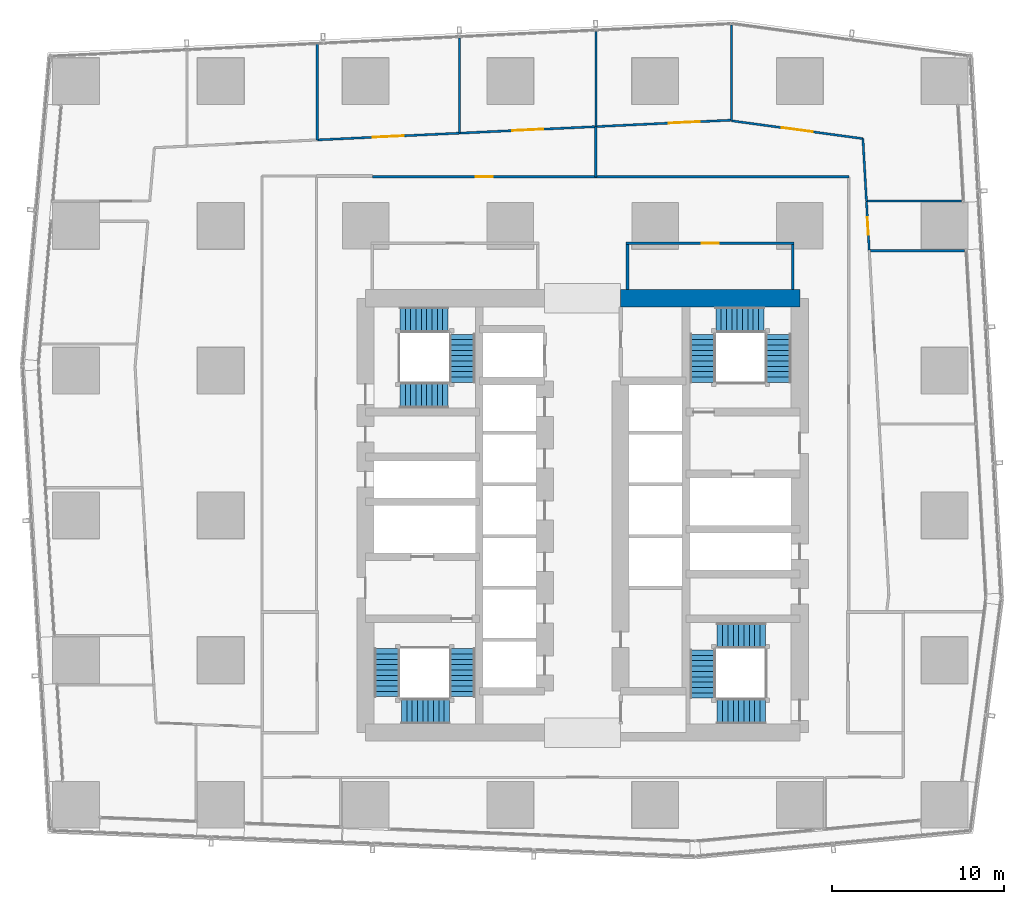
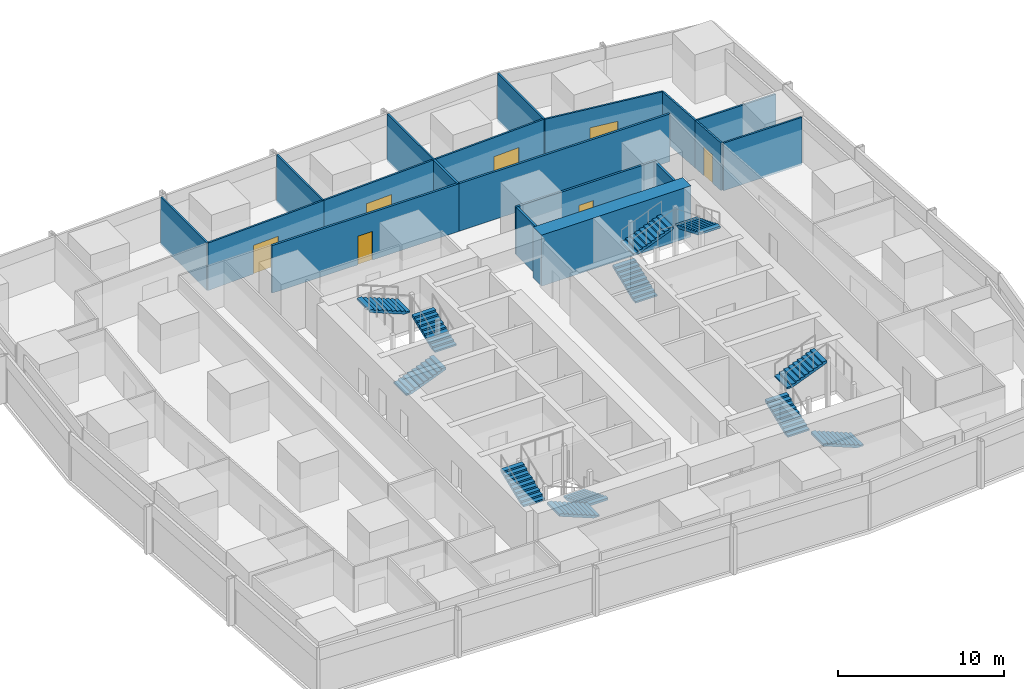
# One storey, part 27 of 36: 19 walls, 12 stair flights, 7 doors, 7 openings, 4 elements without a shape of their own.
"""IFC4 building model written with IfcOpenShell, lengths in metres."""

from ifc_helpers import new_model, si_unit, direction, frame, frame_2d, origin, place, context, subcontext, project, spatial, polyline, rectangle, outline, extrude, material, layer, layer_set, type_object, element, fill, aggregate, save


model = new_model("IFC4")

# Units and contexts
model_context = context("Model", 3, precision=1e-05, world=origin(), true_north=direction((0.0, 1.0)))
body_context = subcontext(model_context, "Body", "Model", "MODEL_VIEW")
ifc_project = project(units=[si_unit("LENGTHUNIT", "METRE"), si_unit("AREAUNIT", "SQUARE_METRE"), si_unit("VOLUMEUNIT", "CUBIC_METRE"), si_unit("PLANEANGLEUNIT", "RADIAN"), si_unit("MASSUNIT", "GRAM", prefix="KILO")], contexts=[model_context])

# Site, building, storey
site_placement = place(None, origin())
site = spatial("IfcSite", under=ifc_project, at=site_placement, CompositionType="ELEMENT")
building_placement = place(site_placement, origin())
building = spatial("IfcBuilding", under=site, at=building_placement, Name="Rekha Terrace Tower", CompositionType="ELEMENT")
storey_placement = place(building_placement, frame((0.0, 0.0, 172.699951171875)))
storey = spatial("IfcBuildingStorey", under=building, at=storey_placement, Name="L43", CompositionType="ELEMENT", Elevation=172.699951171875)

# Wall
ifc_material_1 = material(Name="Concrete M60", Category="concrete")
ifc_layer_1 = layer(ifc_material_1, 1.0)
ifc_layer_set_1 = layer_set([ifc_layer_1], Name="Concrete M60")
wall_type_1 = type_object("IfcWallType", Name="SW3 1000 core outer shear wall", PredefinedType="SHEAR", material=ifc_layer_set_1)
wall_1_placement = place(storey_placement, frame((40.0, 46.199951171875, 0.0), z_axis=(0.0, 0.0, 1.0), x_axis=(1.0, 0.0, 0.0)))
element("IfcWall", 1, at=wall_1_placement, inside=storey, type_object=wall_type_1, Name="Core wall N2 L43", PredefinedType="SHEAR", context=body_context, shape_type="SweptSolid", body=[
    extrude(rectangle(XDim=10.39990234375, YDim=1.0, at=frame_2d((5.199951171875, 0.0))), origin(), (0.0, 0.0, 1.0), 3.75),
])

# Wall, opening, door
ifc_material_2 = material(Name="Concrete block masonry, 1 hour", Category="masonry")
ifc_layer_2 = layer(ifc_material_2, 0.14990234375)
ifc_layer_set_2 = layer_set([ifc_layer_2], Name="Concrete block masonry, 1 hour")
wall_type_2 = type_object("IfcWallType", Name="WP2 150 tenancy partition", PredefinedType="PARTITIONING", material=ifc_layer_set_2)
wall_2_placement = place(storey_placement, frame((40.324951171875, 49.39990234375, 0.0), z_axis=(0.0, 0.0, 1.0), x_axis=(1.0, 0.0, 0.0)))
wall_2 = element("IfcWall", 2, at=wall_2_placement, inside=storey, type_object=wall_type_2, Name="Women's WC wall L43", PredefinedType="PARTITIONING", context=body_context, shape_type="SweptSolid", body=[
    extrude(rectangle(XDim=9.75, YDim=0.14990234375, at=frame_2d((4.875, 0.0))), origin(), (0.0, 0.0, 1.0), 3.5),
])
opening_1_placement = place(wall_2_placement, frame((4.375, 0.0, 0.0)))
opening_1 = element("IfcOpeningElement", 3, at=opening_1_placement, cuts=wall_2, Name="Opening D3", PredefinedType="OPENING", context=body_context, shape_type="SweptSolid", body=[
    extrude(rectangle(XDim=1.0, YDim=2.10009765625, at=frame_2d((0.5, 1.050048828125))), frame((0.0, 0.0849609375, 0.0), z_axis=(0.0, -1.0, 0.0), x_axis=(1.0, 0.0, 0.0)), (0.0, 0.0, 1.0), 0.169921875),
])
ifc_material_3 = material(Name="Laminated timber fire door", Category="wood")
door_type_1 = type_object("IfcDoorType", Name="D3 1000x2100 WC door", OperationType="SINGLE_SWING_LEFT", PredefinedType="DOOR", material=ifc_material_3)
door_1_placement = place(opening_1_placement, origin())
door_1 = element("IfcDoor", 4, at=door_1_placement, inside=storey, type_object=door_type_1, Name="Door women's wc L43", OperationType="SINGLE_SWING_LEFT", OverallHeight=2.10009765625, OverallWidth=1.0, PredefinedType="DOOR", context=body_context, shape_type="SweptSolid", body=[
    extrude(rectangle(XDim=1.0, YDim=2.10009765625, at=frame_2d((0.5, 1.050048828125))), frame((0.0, 0.02490234375, 0.0), z_axis=(0.0, -1.0, 0.0), x_axis=(1.0, 0.0, 0.0)), (0.0, 0.0, 1.0), 0.050048828125),
])
fill(opening_1, door_1)

# Walls
for number, where, z_axis, x_axis, name in (
    (5, (40.39990234375, 46.699951171875, 0.0), (0.0, 0.0, 1.0), (0.0, 1.0, 0.0), "Women's WC wall L43"),
    (6, (50.0, 46.699951171875, 0.0), (0.0, 0.0, 1.0), (0.0, 1.0, 0.0), "Women's WC wall L43"),
):
    element("IfcWall", number, at=place(storey_placement, frame(where, z_axis=z_axis, x_axis=x_axis)), inside=storey, type_object=wall_type_2, Name=name, PredefinedType="PARTITIONING", context=body_context, shape_type="SweptSolid", body=[
        extrude(rectangle(XDim=2.625, YDim=0.14990234375, at=frame_2d((1.3125, 0.0))), origin(), (0.0, 0.0, 1.0), 3.5),
    ])
wall_3_placement = place(storey_placement, frame((53.25, 53.25, 0.0), z_axis=(0.0, 0.0, 1.0), x_axis=(-1.0, 0.0, 0.0)))
element("IfcWall", 7, at=wall_3_placement, inside=storey, type_object=wall_type_2, Name="Partition L43-O1", PredefinedType="PARTITIONING", context=body_context, shape_type="SweptSolid", body=[
    extrude(rectangle(XDim=14.678955078125, YDim=0.14990234375, at=frame_2d((7.33935546875, 0.0))), origin(), (0.0, 0.0, 1.0), 3.5),
])
wall_4_placement = place(storey_placement, frame((38.571044921875, 53.25, 0.0), z_axis=(0.0, 0.0, 1.0), x_axis=(0.0, 1.0, 0.0)))
element("IfcWall", 8, at=wall_4_placement, inside=storey, type_object=wall_type_2, Name="Partition L43-O1", PredefinedType="PARTITIONING", context=body_context, shape_type="SweptSolid", body=[
    extrude(rectangle(XDim=2.9150390625, YDim=0.14990234375, at=frame_2d((1.45751953125, 0.0))), origin(), (0.0, 0.0, 1.0), 3.5),
])

# Wall, opening, door
wall_5_placement = place(storey_placement, frame((38.570068359375, 53.25, 0.0), z_axis=(0.0, 0.0, 1.0), x_axis=(-1.0, 0.0, 0.0)))
wall_5 = element("IfcWall", 9, at=wall_5_placement, inside=storey, type_object=wall_type_2, Name="Partition L43-O1b", PredefinedType="PARTITIONING", context=body_context, shape_type="SweptSolid", body=[
    extrude(rectangle(XDim=12.969970703125, YDim=0.14990234375, at=frame_2d((6.48486328125, 0.0))), origin(), (0.0, 0.0, 1.0), 3.5),
])
opening_2_placement = place(wall_5_placement, frame((5.985107421875, 0.0, 0.0)))
opening_2 = element("IfcOpeningElement", 10, at=opening_2_placement, cuts=wall_5, Name="Opening D9", PredefinedType="OPENING", context=body_context, shape_type="SweptSolid", body=[
    extrude(rectangle(XDim=1.0, YDim=2.10009765625, at=frame_2d((0.5, 1.050048828125))), frame((0.0, 0.0849609375, 0.0), z_axis=(0.0, -1.0, 0.0), x_axis=(1.0, 0.0, 0.0)), (0.0, 0.0, 1.0), 0.169921875),
])
ifc_material_4 = material(Name="Timber fire door", Category="wood")
door_type_2 = type_object("IfcDoorType", Name="D9 1000x2100 office door", OperationType="SINGLE_SWING_LEFT", PredefinedType="DOOR", material=ifc_material_4)
door_2_placement = place(opening_2_placement, origin())
door_2 = element("IfcDoor", 11, at=door_2_placement, inside=storey, type_object=door_type_2, Name="Door open-plan office L43", OperationType="SINGLE_SWING_LEFT", OverallHeight=2.10009765625, OverallWidth=1.0, PredefinedType="DOOR", context=body_context, shape_type="SweptSolid", body=[
    extrude(rectangle(XDim=1.0, YDim=2.10009765625, at=frame_2d((0.5, 1.050048828125))), frame((0.0, 0.02490234375, 0.0), z_axis=(0.0, -1.0, 0.0), x_axis=(1.0, 0.0, 0.0)), (0.0, 0.0, 1.0), 0.050048828125),
])
fill(opening_2, door_2)

# Wall
ifc_material_5 = material(Name="Two layers of fire-rated gypsum board each side on steel studs, acoustic quilt, 1 hour", Category="steel")
ifc_layer_3 = layer(ifc_material_5, 0.125)
ifc_layer_set_3 = layer_set([ifc_layer_3], Name="Two layers of fire-rated gypsum board each side on steel studs, acoustic quilt, 1 hour")
wall_type_3 = type_object("IfcWallType", Name="WP3 125 office partition", PredefinedType="PARTITIONING", material=ifc_layer_set_3)
wall_6_placement = place(storey_placement, frame((54.4951171875, 48.95703125, 0.0), z_axis=(0.0, 0.0, 1.0), x_axis=(1.0, 0.0, 0.0)))
element("IfcWall", 12, at=wall_6_placement, inside=storey, type_object=wall_type_3, Name="Partition L43-05", PredefinedType="PARTITIONING", context=body_context, shape_type="SweptSolid", body=[
    extrude(rectangle(XDim=5.4658203125, YDim=0.125, at=frame_2d((2.73291015625, 0.0))), origin(), (0.0, 0.0, 1.0), 3.5),
])

# Wall, opening, door
wall_7_placement = place(storey_placement, frame((54.429931640625, 48.992919921875, 0.0), z_axis=(0.0, 0.0, 1.0), x_axis=(-0.056736501623, 0.998389187333, 0.0)))
wall_7 = element("IfcWall", 13, at=wall_7_placement, inside=storey, type_object=wall_type_3, Name="Partition L43-06", PredefinedType="PARTITIONING", context=body_context, shape_type="SweptSolid", body=[
    extrude(rectangle(XDim=2.818603515625, YDim=0.125, at=frame_2d((1.4091796875, 0.0))), origin(), (0.0, 0.0, 1.0), 3.5),
])
opening_3_placement = place(wall_7_placement, frame((0.908935546875, 0.0, 0.0)))
opening_3 = element("IfcOpeningElement", 14, at=opening_3_placement, cuts=wall_7, Name="Opening D9", PredefinedType="OPENING", context=body_context, shape_type="SweptSolid", body=[
    extrude(rectangle(XDim=1.0, YDim=2.10009765625, at=frame_2d((0.5, 1.050048828125))), frame((0.0, 0.072509765625, 0.0), z_axis=(0.0, -1.0, 0.0), x_axis=(1.0, 0.0, 0.0)), (0.0, 0.0, 1.0), 0.14501953125),
])
door_3_placement = place(opening_3_placement, origin())
door_3 = element("IfcDoor", 15, at=door_3_placement, inside=storey, type_object=door_type_2, Name="Door club lounge L43", OperationType="SINGLE_SWING_LEFT", OverallHeight=2.10009765625, OverallWidth=1.0, PredefinedType="DOOR", context=body_context, shape_type="SweptSolid", body=[
    extrude(rectangle(XDim=1.0, YDim=2.10009765625, at=frame_2d((0.5, 1.050048828125))), frame((0.0, 0.02490234375, 0.0), z_axis=(0.0, -1.0, 0.0), x_axis=(1.0, 0.0, 0.0)), (0.0, 0.0, 1.0), 0.050048828125),
])
fill(opening_3, door_3)

# Walls
wall_8_placement = place(storey_placement, frame((54.3310546875, 51.843017578125, 0.0), z_axis=(0.0, 0.0, 1.0), x_axis=(1.0, 0.0, 0.0)))
element("IfcWall", 16, at=wall_8_placement, inside=storey, type_object=wall_type_3, Name="Partition L43-06", PredefinedType="PARTITIONING", context=body_context, shape_type="SweptSolid", body=[
    extrude(rectangle(XDim=5.466064453125, YDim=0.125, at=frame_2d((2.73291015625, 0.0))), origin(), (0.0, 0.0, 1.0), 3.5),
])
wall_9_placement = place(storey_placement, frame((54.27001953125, 51.80810546875, 0.0), z_axis=(0.0, 0.0, 1.0), x_axis=(-0.056507045715, 0.998402200411, 0.0)))
element("IfcWall", 17, at=wall_9_placement, inside=storey, type_object=wall_type_3, Name="Partition L43-07", PredefinedType="PARTITIONING", context=body_context, shape_type="SweptSolid", body=[
    extrude(rectangle(XDim=3.663818359375, YDim=0.125, at=frame_2d((1.83203125, 0.0))), origin(), (0.0, 0.0, 1.0), 3.5),
])

# Wall, opening, door
wall_10_placement = place(storey_placement, frame((54.06298828125, 55.466064453125, 0.0), z_axis=(0.0, 0.0, 1.0), x_axis=(-0.9908786138, 0.13475745884, 0.0)))
wall_10 = element("IfcWall", 18, at=wall_10_placement, inside=storey, type_object=wall_type_3, Name="Partition L43-07", PredefinedType="PARTITIONING", context=body_context, shape_type="SweptSolid", body=[
    extrude(rectangle(XDim=7.68701171875, YDim=0.125, at=frame_2d((3.843505859375, 0.0))), origin(), (0.0, 0.0, 1.0), 3.5),
])
opening_4_placement = place(wall_10_placement, frame((2.944091796875, 0.0, 0.0)))
opening_4 = element("IfcOpeningElement", 19, at=opening_4_placement, cuts=wall_10, Name="Opening D8", PredefinedType="OPENING", context=body_context, shape_type="SweptSolid", body=[
    extrude(rectangle(XDim=1.800048828125, YDim=2.10009765625, at=frame_2d((0.89990234375, 1.050048828125))), frame((0.0, 0.072509765625, 0.0), z_axis=(0.0, -1.0, 0.0), x_axis=(1.0, 0.0, 0.0)), (0.0, 0.0, 1.0), 0.14501953125),
])
door_type_3 = type_object("IfcDoorType", Name="D8 1800x2100 double leaf door", OperationType="DOUBLE_DOOR_SINGLE_SWING", PredefinedType="DOOR", material=ifc_material_4)
door_4_placement = place(opening_4_placement, origin())
door_4 = element("IfcDoor", 20, at=door_4_placement, inside=storey, type_object=door_type_3, Name="Door club lounge L43", OperationType="DOUBLE_DOOR_SINGLE_SWING", OverallHeight=2.10009765625, OverallWidth=1.800048828125, PredefinedType="DOOR", context=body_context, shape_type="SweptSolid", body=[
    extrude(rectangle(XDim=1.800048828125, YDim=2.10009765625, at=frame_2d((0.89990234375, 1.050048828125))), frame((0.0, 0.02490234375, 0.0), z_axis=(0.0, -1.0, 0.0), x_axis=(1.0, 0.0, 0.0)), (0.0, 0.0, 1.0), 0.050048828125),
])
fill(opening_4, door_4)

# Walls
wall_11_placement = place(storey_placement, frame((46.445068359375, 56.52001953125, 0.0), z_axis=(0.0, 0.0, 1.0), x_axis=(0.0, 1.0, 0.0)))
element("IfcWall", 21, at=wall_11_placement, inside=storey, type_object=wall_type_3, Name="Partition L43-07", PredefinedType="PARTITIONING", context=body_context, shape_type="SweptSolid", body=[
    extrude(rectangle(XDim=5.546875, YDim=0.125, at=frame_2d((2.7734375, 0.0))), origin(), (0.0, 0.0, 1.0), 3.5),
])
wall_12_placement = place(storey_placement, frame((38.571044921875, 56.1650390625, 0.0), z_axis=(0.0, 0.0, 1.0), x_axis=(0.0, 1.0, 0.0)))
element("IfcWall", 22, at=wall_12_placement, inside=storey, type_object=wall_type_3, Name="Partition L43-08", PredefinedType="PARTITIONING", context=body_context, shape_type="SweptSolid", body=[
    extrude(rectangle(XDim=5.52587890625, YDim=0.125, at=frame_2d((2.762939453125, 0.0))), origin(), (0.0, 0.0, 1.0), 3.5),
])

# Wall, opening, door
wall_13_placement = place(storey_placement, frame((46.383056640625, 56.5380859375, 0.0), z_axis=(0.0, 0.0, 1.0), x_axis=(-0.998861772529, -0.047698630803, 0.0)))
wall_13 = element("IfcWall", 23, at=wall_13_placement, inside=storey, type_object=wall_type_3, Name="Partition L43-08", PredefinedType="PARTITIONING", context=body_context, shape_type="SweptSolid", body=[
    extrude(rectangle(XDim=7.82080078125, YDim=0.125, at=frame_2d((3.910400390625, 0.0))), origin(), (0.0, 0.0, 1.0), 3.5),
])
opening_5_placement = place(wall_13_placement, frame((1.780029296875, 0.0, 0.0)))
opening_5 = element("IfcOpeningElement", 24, at=opening_5_placement, cuts=wall_13, Name="Opening D8", PredefinedType="OPENING", context=body_context, shape_type="SweptSolid", body=[
    extrude(rectangle(XDim=1.800048828125, YDim=2.10009765625, at=frame_2d((0.89990234375, 1.050048828125))), frame((0.0, 0.072509765625, 0.0), z_axis=(0.0, -1.0, 0.0), x_axis=(1.0, 0.0, 0.0)), (0.0, 0.0, 1.0), 0.14501953125),
])
door_5_placement = place(opening_5_placement, origin())
door_5 = element("IfcDoor", 25, at=door_5_placement, inside=storey, type_object=door_type_3, Name="Door club lounge L43", OperationType="DOUBLE_DOOR_SINGLE_SWING", OverallHeight=2.10009765625, OverallWidth=1.800048828125, PredefinedType="DOOR", context=body_context, shape_type="SweptSolid", body=[
    extrude(rectangle(XDim=1.800048828125, YDim=2.10009765625, at=frame_2d((0.89990234375, 1.050048828125))), frame((0.0, 0.02490234375, 0.0), z_axis=(0.0, -1.0, 0.0), x_axis=(1.0, 0.0, 0.0)), (0.0, 0.0, 1.0), 0.050048828125),
])
fill(opening_5, door_5)

wall_14_placement = place(storey_placement, frame((38.49609375, 56.159912109375, 0.0), z_axis=(0.0, 0.0, 1.0), x_axis=(-0.998862214111, -0.047689382698, 0.0)))
wall_14 = element("IfcWall", 26, at=wall_14_placement, inside=storey, type_object=wall_type_3, Name="Partition L43-09", PredefinedType="PARTITIONING", context=body_context, shape_type="SweptSolid", body=[
    extrude(rectangle(XDim=7.843017578125, YDim=0.125, at=frame_2d((3.92138671875, 0.0))), origin(), (0.0, 0.0, 1.0), 3.5),
])
opening_6_placement = place(wall_14_placement, frame((2.985107421875, 0.0, 0.0)))
opening_6 = element("IfcOpeningElement", 27, at=opening_6_placement, cuts=wall_14, Name="Opening D8", PredefinedType="OPENING", context=body_context, shape_type="SweptSolid", body=[
    extrude(rectangle(XDim=1.800048828125, YDim=2.10009765625, at=frame_2d((0.89990234375, 1.050048828125))), frame((0.0, 0.072509765625, 0.0), z_axis=(0.0, -1.0, 0.0), x_axis=(1.0, 0.0, 0.0)), (0.0, 0.0, 1.0), 0.14501953125),
])
door_6_placement = place(opening_6_placement, origin())
door_6 = element("IfcDoor", 28, at=door_6_placement, inside=storey, type_object=door_type_3, Name="Door club lounge L43", OperationType="DOUBLE_DOOR_SINGLE_SWING", OverallHeight=2.10009765625, OverallWidth=1.800048828125, PredefinedType="DOOR", context=body_context, shape_type="SweptSolid", body=[
    extrude(rectangle(XDim=1.800048828125, YDim=2.10009765625, at=frame_2d((0.89990234375, 1.050048828125))), frame((0.0, 0.02490234375, 0.0), z_axis=(0.0, -1.0, 0.0), x_axis=(1.0, 0.0, 0.0)), (0.0, 0.0, 1.0), 0.050048828125),
])
fill(opening_6, door_6)

# Wall
wall_15_placement = place(storey_placement, frame((30.662109375, 55.785888671875, 0.0), z_axis=(0.0, 0.0, 1.0), x_axis=(0.0, 1.0, 0.0)))
element("IfcWall", 29, at=wall_15_placement, inside=storey, type_object=wall_type_3, Name="Partition L43-09", PredefinedType="PARTITIONING", context=body_context, shape_type="SweptSolid", body=[
    extrude(rectangle(XDim=5.527099609375, YDim=0.125, at=frame_2d((2.763671875, 0.0))), origin(), (0.0, 0.0, 1.0), 3.5),
])

# Wall, opening, door
wall_16_placement = place(storey_placement, frame((30.660888671875, 55.785888671875, 0.0), z_axis=(0.0, 0.0, 1.0), x_axis=(-0.998865464347, -0.047621257175, 0.0)))
wall_16 = element("IfcWall", 30, at=wall_16_placement, inside=storey, type_object=wall_type_3, Name="Partition L43-10", PredefinedType="PARTITIONING", context=body_context, shape_type="SweptSolid", body=[
    extrude(rectangle(XDim=8.269287109375, YDim=0.125, at=frame_2d((4.134765625, 0.0))), origin(), (0.0, 0.0, 1.0), 3.5),
])
opening_7_placement = place(wall_16_placement, frame((3.235107421875, 0.0, 0.0)))
opening_7 = element("IfcOpeningElement", 31, at=opening_7_placement, cuts=wall_16, Name="Opening D8", PredefinedType="OPENING", context=body_context, shape_type="SweptSolid", body=[
    extrude(rectangle(XDim=1.800048828125, YDim=2.10009765625, at=frame_2d((0.89990234375, 1.050048828125))), frame((0.0, 0.072509765625, 0.0), z_axis=(0.0, -1.0, 0.0), x_axis=(1.0, 0.0, 0.0)), (0.0, 0.0, 1.0), 0.14501953125),
])
door_7_placement = place(opening_7_placement, origin())
door_7 = element("IfcDoor", 32, at=door_7_placement, inside=storey, type_object=door_type_3, Name="Door club lounge L43", OperationType="DOUBLE_DOOR_SINGLE_SWING", OverallHeight=2.10009765625, OverallWidth=1.800048828125, PredefinedType="DOOR", context=body_context, shape_type="SweptSolid", body=[
    extrude(rectangle(XDim=1.800048828125, YDim=2.10009765625, at=frame_2d((0.89990234375, 1.050048828125))), frame((0.0, 0.02490234375, 0.0), z_axis=(0.0, -1.0, 0.0), x_axis=(1.0, 0.0, 0.0)), (0.0, 0.0, 1.0), 0.050048828125),
])
fill(opening_7, door_7)

# Wall
wall_17_placement = place(storey_placement, frame((22.40087890625, 55.39208984375, 0.0), z_axis=(0.0, 0.0, 1.0), x_axis=(0.0, 1.0, 0.0)))
element("IfcWall", 33, at=wall_17_placement, inside=storey, type_object=wall_type_3, Name="Partition L43-10", PredefinedType="PARTITIONING", context=body_context, shape_type="SweptSolid", body=[
    extrude(rectangle(XDim=5.555908203125, YDim=0.125, at=frame_2d((2.77783203125, 0.0))), origin(), (0.0, 0.0, 1.0), 3.5),
])

# Stair, stair flights
ifc_material_6 = material(Name="Concrete M40", Category="concrete")
stair_type = type_object("IfcStairType", Name="ST30 stair, 30 risers of 125, going 310, 1500 wide flights, 3 flights", PredefinedType="HALF_TURN_STAIR", material=ifc_material_6)
stair_1_placement = place(storey_placement, origin())
stair_1 = element("IfcStair", 34, at=stair_1_placement, inside=storey, type_object=stair_type, Name="Stair ST1 L43 to L44", PredefinedType="HALF_TURN_STAIR")
stair_flight_type = type_object("IfcStairFlightType", Name="SF10 stair flight, 10 risers of 125, going 310, 1500 wide", PredefinedType="STRAIGHT", material=ifc_material_6)
stair_flight_1_placement = place(storey_placement, frame((30.824951171875, 25.875, 0.0), z_axis=(0.0, 0.0, 1.0), x_axis=(0.0, -1.0, 0.0)))
stair_flight_1 = element("IfcStairFlight", 35, at=stair_flight_1_placement, type_object=stair_flight_type, Name="ST1 flight 1", NumberOfRisers=10, NumberOfTreads=9, PredefinedType="STRAIGHT", RiserHeight=0.125, TreadLength=0.31, context=body_context, shape_type="SweptSolid", body=[
    extrude(outline(polyline([(0.0, 0.0), (0.0, 0.125), (0.31005859375, 0.125), (0.31005859375, 0.25), (0.6201171875, 0.25), (0.6201171875, 0.375), (0.929931640625, 0.375), (0.929931640625, 0.5), (1.239990234375, 0.5), (1.239990234375, 0.625), (1.550048828125, 0.625), (1.550048828125, 0.75), (1.860107421875, 0.75), (1.860107421875, 0.875), (2.169921875, 0.875), (2.169921875, 1.0), (2.47998046875, 1.0), (2.47998046875, 1.125), (2.7900390625, 1.125), (2.7900390625, 1.25), (2.7900390625, 0.96337890625), (0.40087890625, 0.0), (0.0, 0.0)])), frame((0.0, 0.75, 0.0), z_axis=(0.0, -1.0, 0.0), x_axis=(1.0, 0.0, 0.0)), (0.0, 0.0, 1.0), 1.5),
])
stair_flight_2_placement = place(storey_placement, frame((30.074951171875, 22.25, 1.25), z_axis=(0.0, 0.0, 1.0), x_axis=(-1.0, 0.0, 0.0)))
stair_flight_2 = element("IfcStairFlight", 36, at=stair_flight_2_placement, type_object=stair_flight_type, Name="ST1 flight 2", NumberOfRisers=10, NumberOfTreads=9, PredefinedType="STRAIGHT", RiserHeight=0.125, TreadLength=0.31, context=body_context, shape_type="SweptSolid", body=[
    extrude(outline(polyline([(0.0, 0.0), (0.0, 0.125), (0.31005859375, 0.125), (0.31005859375, 0.25), (0.6201171875, 0.25), (0.6201171875, 0.375), (0.929931640625, 0.375), (0.929931640625, 0.5), (1.239990234375, 0.5), (1.239990234375, 0.625), (1.550048828125, 0.625), (1.550048828125, 0.75), (1.860107421875, 0.75), (1.860107421875, 0.875), (2.169921875, 0.875), (2.169921875, 1.0), (2.47998046875, 1.0), (2.47998046875, 1.125), (2.7900390625, 1.125), (2.7900390625, 1.25), (2.7900390625, 0.96337890625), (0.40087890625, 0.0), (0.0, 0.0)])), frame((0.0, 0.75, 0.0), z_axis=(0.0, -1.0, 0.0), x_axis=(1.0, 0.0, 0.0)), (0.0, 0.0, 1.0), 1.5),
])
stair_flight_3_placement = place(storey_placement, frame((26.449951171875, 23.0849609375, 2.5), z_axis=(0.0, 0.0, 1.0), x_axis=(0.0, 1.0, 0.0)))
stair_flight_3 = element("IfcStairFlight", 37, at=stair_flight_3_placement, type_object=stair_flight_type, Name="ST1 flight 3", NumberOfRisers=10, NumberOfTreads=9, PredefinedType="STRAIGHT", RiserHeight=0.125, TreadLength=0.31, context=body_context, shape_type="SweptSolid", body=[
    extrude(outline(polyline([(0.0, 0.0), (0.0, 0.125), (0.31005859375, 0.125), (0.31005859375, 0.25), (0.6201171875, 0.25), (0.6201171875, 0.375), (0.929931640625, 0.375), (0.929931640625, 0.5), (1.239990234375, 0.5), (1.239990234375, 0.625), (1.550048828125, 0.625), (1.550048828125, 0.75), (1.860107421875, 0.75), (1.860107421875, 0.875), (2.169921875, 0.875), (2.169921875, 1.0), (2.47998046875, 1.0), (2.47998046875, 1.125), (2.7900390625, 1.125), (2.7900390625, 1.25), (2.7900390625, 0.96337890625), (0.40087890625, 0.0), (0.0, 0.0)])), frame((0.0, 0.75, 0.0), z_axis=(0.0, -1.0, 0.0), x_axis=(1.0, 0.0, 0.0)), (0.0, 0.0, 1.0), 1.5),
])
aggregate(stair_1, [stair_flight_1, stair_flight_2, stair_flight_3])

stair_2_placement = place(storey_placement, origin())
stair_2 = element("IfcStair", 38, at=stair_2_placement, inside=storey, type_object=stair_type, Name="Stair ST2 L43 to L44", PredefinedType="HALF_TURN_STAIR")
stair_flight_4_placement = place(storey_placement, frame((44.77490234375, 41.324951171875, 0.0), z_axis=(0.0, 0.0, 1.0), x_axis=(0.0, 1.0, 0.0)))
stair_flight_4 = element("IfcStairFlight", 39, at=stair_flight_4_placement, type_object=stair_flight_type, Name="ST2 flight 1", NumberOfRisers=10, NumberOfTreads=9, PredefinedType="STRAIGHT", RiserHeight=0.125, TreadLength=0.31, context=body_context, shape_type="SweptSolid", body=[
    extrude(outline(polyline([(0.0, 0.0), (0.0, 0.125), (0.31005859375, 0.125), (0.31005859375, 0.25), (0.6201171875, 0.25), (0.6201171875, 0.375), (0.929931640625, 0.375), (0.929931640625, 0.5), (1.239990234375, 0.5), (1.239990234375, 0.625), (1.550048828125, 0.625), (1.550048828125, 0.75), (1.860107421875, 0.75), (1.860107421875, 0.875), (2.169921875, 0.875), (2.169921875, 1.0), (2.47998046875, 1.0), (2.47998046875, 1.125), (2.7900390625, 1.125), (2.7900390625, 1.25), (2.7900390625, 0.96337890625), (0.40087890625, 0.0), (0.0, 0.0)])), frame((0.0, 0.75, 0.0), z_axis=(0.0, -1.0, 0.0), x_axis=(1.0, 0.0, 0.0)), (0.0, 0.0, 1.0), 1.5),
])
stair_flight_5_placement = place(storey_placement, frame((45.52490234375, 44.949951171875, 1.25), z_axis=(0.0, 0.0, 1.0), x_axis=(1.0, 0.0, 0.0)))
stair_flight_5 = element("IfcStairFlight", 40, at=stair_flight_5_placement, type_object=stair_flight_type, Name="ST2 flight 2", NumberOfRisers=10, NumberOfTreads=9, PredefinedType="STRAIGHT", RiserHeight=0.125, TreadLength=0.31, context=body_context, shape_type="SweptSolid", body=[
    extrude(outline(polyline([(0.0, 0.0), (0.0, 0.125), (0.31005859375, 0.125), (0.31005859375, 0.25), (0.6201171875, 0.25), (0.6201171875, 0.375), (0.929931640625, 0.375), (0.929931640625, 0.5), (1.239990234375, 0.5), (1.239990234375, 0.625), (1.550048828125, 0.625), (1.550048828125, 0.75), (1.860107421875, 0.75), (1.860107421875, 0.875), (2.169921875, 0.875), (2.169921875, 1.0), (2.47998046875, 1.0), (2.47998046875, 1.125), (2.7900390625, 1.125), (2.7900390625, 1.25), (2.7900390625, 0.96337890625), (0.40087890625, 0.0), (0.0, 0.0)])), frame((0.0, 0.75, 0.0), z_axis=(0.0, -1.0, 0.0), x_axis=(1.0, 0.0, 0.0)), (0.0, 0.0, 1.0), 1.5),
])
stair_flight_6_placement = place(storey_placement, frame((49.14990234375, 44.114990234375, 2.5), z_axis=(0.0, 0.0, 1.0), x_axis=(0.0, -1.0, 0.0)))
stair_flight_6 = element("IfcStairFlight", 41, at=stair_flight_6_placement, type_object=stair_flight_type, Name="ST2 flight 3", NumberOfRisers=10, NumberOfTreads=9, PredefinedType="STRAIGHT", RiserHeight=0.125, TreadLength=0.31, context=body_context, shape_type="SweptSolid", body=[
    extrude(outline(polyline([(0.0, 0.0), (0.0, 0.125), (0.31005859375, 0.125), (0.31005859375, 0.25), (0.6201171875, 0.25), (0.6201171875, 0.375), (0.929931640625, 0.375), (0.929931640625, 0.5), (1.239990234375, 0.5), (1.239990234375, 0.625), (1.550048828125, 0.625), (1.550048828125, 0.75), (1.860107421875, 0.75), (1.860107421875, 0.875), (2.169921875, 0.875), (2.169921875, 1.0), (2.47998046875, 1.0), (2.47998046875, 1.125), (2.7900390625, 1.125), (2.7900390625, 1.25), (2.7900390625, 0.96337890625), (0.40087890625, 0.0), (0.0, 0.0)])), frame((0.0, 0.75, 0.0), z_axis=(0.0, -1.0, 0.0), x_axis=(1.0, 0.0, 0.0)), (0.0, 0.0, 1.0), 1.5),
])
aggregate(stair_2, [stair_flight_4, stair_flight_5, stair_flight_6])

stair_3_placement = place(storey_placement, origin())
stair_3 = element("IfcStair", 42, at=stair_3_placement, inside=storey, type_object=stair_type, Name="Stair ST3 L43 to L44", PredefinedType="HALF_TURN_STAIR")
stair_flight_7_placement = place(storey_placement, frame((48.39990234375, 22.25, 0.0), z_axis=(0.0, 0.0, 1.0), x_axis=(-1.0, 0.0, 0.0)))
stair_flight_7 = element("IfcStairFlight", 43, at=stair_flight_7_placement, type_object=stair_flight_type, Name="ST3 flight 1", NumberOfRisers=10, NumberOfTreads=9, PredefinedType="STRAIGHT", RiserHeight=0.125, TreadLength=0.31, context=body_context, shape_type="SweptSolid", body=[
    extrude(outline(polyline([(0.0, 0.0), (0.0, 0.125), (0.31005859375, 0.125), (0.31005859375, 0.25), (0.6201171875, 0.25), (0.6201171875, 0.375), (0.929931640625, 0.375), (0.929931640625, 0.5), (1.239990234375, 0.5), (1.239990234375, 0.625), (1.550048828125, 0.625), (1.550048828125, 0.75), (1.860107421875, 0.75), (1.860107421875, 0.875), (2.169921875, 0.875), (2.169921875, 1.0), (2.47998046875, 1.0), (2.47998046875, 1.125), (2.7900390625, 1.125), (2.7900390625, 1.25), (2.7900390625, 0.96337890625), (0.40087890625, 0.0), (0.0, 0.0)])), frame((0.0, 0.75, 0.0), z_axis=(0.0, -1.0, 0.0), x_axis=(1.0, 0.0, 0.0)), (0.0, 0.0, 1.0), 1.5),
])
stair_flight_8_placement = place(storey_placement, frame((44.77490234375, 23.0, 1.25), z_axis=(0.0, 0.0, 1.0), x_axis=(0.0, 1.0, 0.0)))
stair_flight_8 = element("IfcStairFlight", 44, at=stair_flight_8_placement, type_object=stair_flight_type, Name="ST3 flight 2", NumberOfRisers=10, NumberOfTreads=9, PredefinedType="STRAIGHT", RiserHeight=0.125, TreadLength=0.31, context=body_context, shape_type="SweptSolid", body=[
    extrude(outline(polyline([(0.0, 0.0), (0.0, 0.125), (0.31005859375, 0.125), (0.31005859375, 0.25), (0.6201171875, 0.25), (0.6201171875, 0.375), (0.929931640625, 0.375), (0.929931640625, 0.5), (1.239990234375, 0.5), (1.239990234375, 0.625), (1.550048828125, 0.625), (1.550048828125, 0.75), (1.860107421875, 0.75), (1.860107421875, 0.875), (2.169921875, 0.875), (2.169921875, 1.0), (2.47998046875, 1.0), (2.47998046875, 1.125), (2.7900390625, 1.125), (2.7900390625, 1.25), (2.7900390625, 0.96337890625), (0.40087890625, 0.0), (0.0, 0.0)])), frame((0.0, 0.75, 0.0), z_axis=(0.0, -1.0, 0.0), x_axis=(1.0, 0.0, 0.0)), (0.0, 0.0, 1.0), 1.5),
])
stair_flight_9_placement = place(storey_placement, frame((45.610107421875, 26.625, 2.5), z_axis=(0.0, 0.0, 1.0), x_axis=(1.0, 0.0, 0.0)))
stair_flight_9 = element("IfcStairFlight", 45, at=stair_flight_9_placement, type_object=stair_flight_type, Name="ST3 flight 3", NumberOfRisers=10, NumberOfTreads=9, PredefinedType="STRAIGHT", RiserHeight=0.125, TreadLength=0.31, context=body_context, shape_type="SweptSolid", body=[
    extrude(outline(polyline([(0.0, 0.0), (0.0, 0.125), (0.31005859375, 0.125), (0.31005859375, 0.25), (0.6201171875, 0.25), (0.6201171875, 0.375), (0.929931640625, 0.375), (0.929931640625, 0.5), (1.239990234375, 0.5), (1.239990234375, 0.625), (1.550048828125, 0.625), (1.550048828125, 0.75), (1.860107421875, 0.75), (1.860107421875, 0.875), (2.169921875, 0.875), (2.169921875, 1.0), (2.47998046875, 1.0), (2.47998046875, 1.125), (2.7900390625, 1.125), (2.7900390625, 1.25), (2.7900390625, 0.96337890625), (0.40087890625, 0.0), (0.0, 0.0)])), frame((0.0, 0.75, 0.0), z_axis=(0.0, -1.0, 0.0), x_axis=(1.0, 0.0, 0.0)), (0.0, 0.0, 1.0), 1.5),
])
aggregate(stair_3, [stair_flight_7, stair_flight_8, stair_flight_9])

stair_4_placement = place(storey_placement, origin())
stair_4 = element("IfcStair", 46, at=stair_4_placement, inside=storey, type_object=stair_type, Name="Stair ST4 L43 to L44", PredefinedType="HALF_TURN_STAIR")
stair_flight_10_placement = place(storey_placement, frame((27.199951171875, 40.574951171875, 0.0), z_axis=(0.0, 0.0, 1.0), x_axis=(1.0, 0.0, 0.0)))
stair_flight_10 = element("IfcStairFlight", 47, at=stair_flight_10_placement, type_object=stair_flight_type, Name="ST4 flight 1", NumberOfRisers=10, NumberOfTreads=9, PredefinedType="STRAIGHT", RiserHeight=0.125, TreadLength=0.31, context=body_context, shape_type="SweptSolid", body=[
    extrude(outline(polyline([(0.0, 0.0), (0.0, 0.125), (0.31005859375, 0.125), (0.31005859375, 0.25), (0.6201171875, 0.25), (0.6201171875, 0.375), (0.929931640625, 0.375), (0.929931640625, 0.5), (1.239990234375, 0.5), (1.239990234375, 0.625), (1.550048828125, 0.625), (1.550048828125, 0.75), (1.860107421875, 0.75), (1.860107421875, 0.875), (2.169921875, 0.875), (2.169921875, 1.0), (2.47998046875, 1.0), (2.47998046875, 1.125), (2.7900390625, 1.125), (2.7900390625, 1.25), (2.7900390625, 0.96337890625), (0.40087890625, 0.0), (0.0, 0.0)])), frame((0.0, 0.75, 0.0), z_axis=(0.0, -1.0, 0.0), x_axis=(1.0, 0.0, 0.0)), (0.0, 0.0, 1.0), 1.5),
])
stair_flight_11_placement = place(storey_placement, frame((30.824951171875, 41.324951171875, 1.25), z_axis=(0.0, 0.0, 1.0), x_axis=(0.0, 1.0, 0.0)))
stair_flight_11 = element("IfcStairFlight", 48, at=stair_flight_11_placement, type_object=stair_flight_type, Name="ST4 flight 2", NumberOfRisers=10, NumberOfTreads=9, PredefinedType="STRAIGHT", RiserHeight=0.125, TreadLength=0.31, context=body_context, shape_type="SweptSolid", body=[
    extrude(outline(polyline([(0.0, 0.0), (0.0, 0.125), (0.31005859375, 0.125), (0.31005859375, 0.25), (0.6201171875, 0.25), (0.6201171875, 0.375), (0.929931640625, 0.375), (0.929931640625, 0.5), (1.239990234375, 0.5), (1.239990234375, 0.625), (1.550048828125, 0.625), (1.550048828125, 0.75), (1.860107421875, 0.75), (1.860107421875, 0.875), (2.169921875, 0.875), (2.169921875, 1.0), (2.47998046875, 1.0), (2.47998046875, 1.125), (2.7900390625, 1.125), (2.7900390625, 1.25), (2.7900390625, 0.96337890625), (0.40087890625, 0.0), (0.0, 0.0)])), frame((0.0, 0.75, 0.0), z_axis=(0.0, -1.0, 0.0), x_axis=(1.0, 0.0, 0.0)), (0.0, 0.0, 1.0), 1.5),
])
stair_flight_12_placement = place(storey_placement, frame((29.989990234375, 44.949951171875, 2.5), z_axis=(0.0, 0.0, 1.0), x_axis=(-1.0, 0.0, 0.0)))
stair_flight_12 = element("IfcStairFlight", 49, at=stair_flight_12_placement, type_object=stair_flight_type, Name="ST4 flight 3", NumberOfRisers=10, NumberOfTreads=9, PredefinedType="STRAIGHT", RiserHeight=0.125, TreadLength=0.31, context=body_context, shape_type="SweptSolid", body=[
    extrude(outline(polyline([(0.0, 0.0), (0.0, 0.125), (0.31005859375, 0.125), (0.31005859375, 0.25), (0.6201171875, 0.25), (0.6201171875, 0.375), (0.929931640625, 0.375), (0.929931640625, 0.5), (1.239990234375, 0.5), (1.239990234375, 0.625), (1.550048828125, 0.625), (1.550048828125, 0.75), (1.860107421875, 0.75), (1.860107421875, 0.875), (2.169921875, 0.875), (2.169921875, 1.0), (2.47998046875, 1.0), (2.47998046875, 1.125), (2.7900390625, 1.125), (2.7900390625, 1.25), (2.7900390625, 0.96337890625), (0.40087890625, 0.0), (0.0, 0.0)])), frame((0.0, 0.75, 0.0), z_axis=(0.0, -1.0, 0.0), x_axis=(1.0, 0.0, 0.0)), (0.0, 0.0, 1.0), 1.5),
])
aggregate(stair_4, [stair_flight_10, stair_flight_11, stair_flight_12])

save(model, "model.ifc")
